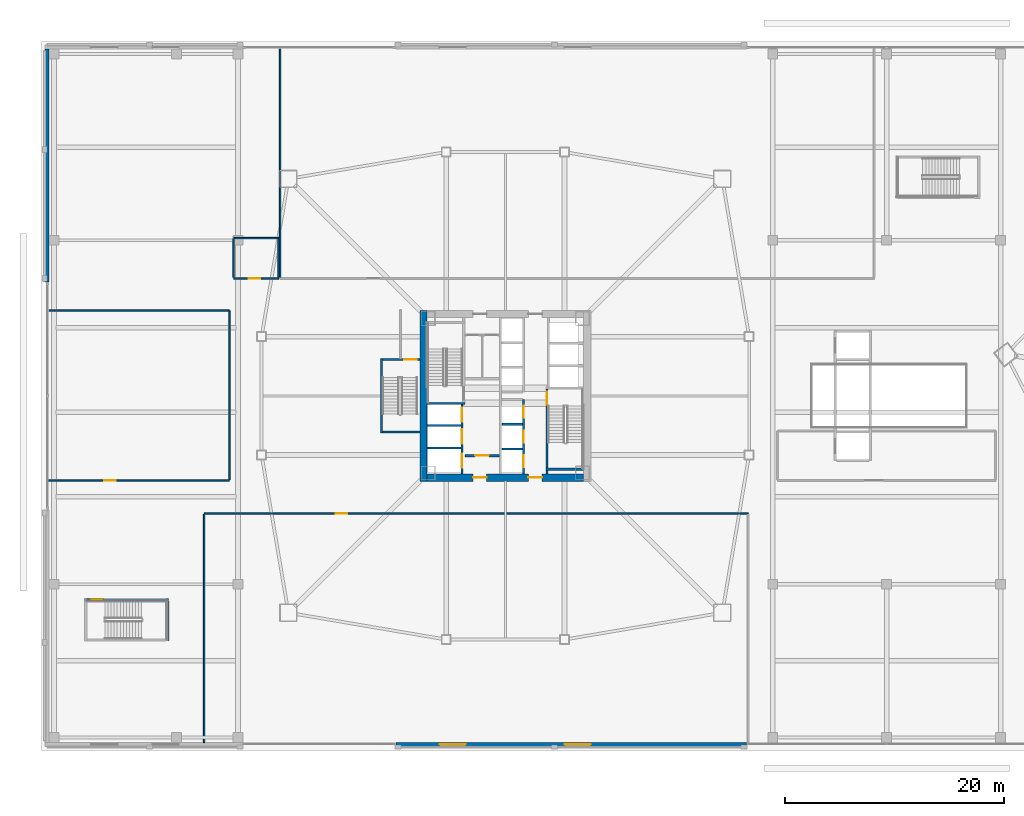
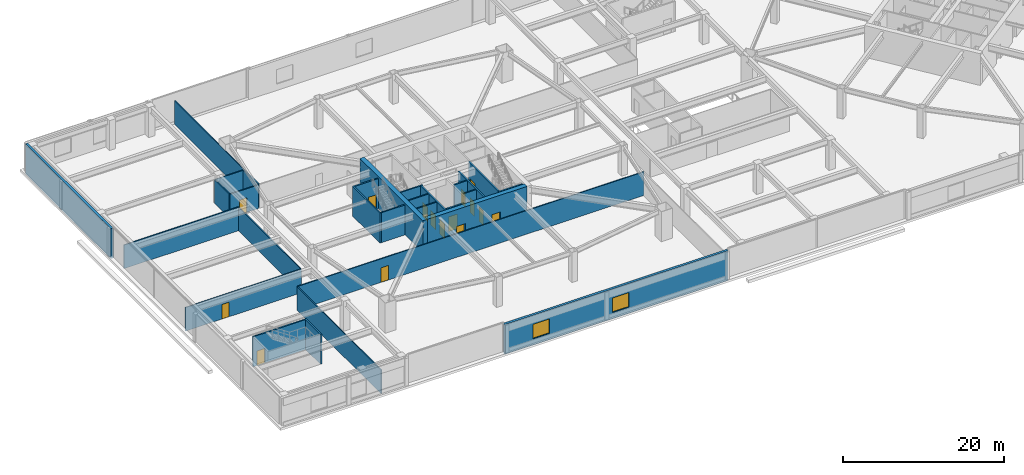
# One storey, part 30 of 44: 29 walls, 15 doors, 2 windows, 17 openings.
"""IFC4 building model written with IfcOpenShell, lengths in metres."""

from ifc_helpers import new_model, si_unit, direction, frame, frame_2d, origin, place, context, subcontext, project, spatial, rectangle, extrude, material, layer, layer_set, type_object, element, fill, save


model = new_model("IFC4")

# Units and contexts
model_context = context("Model", 3, precision=1e-05, world=origin(), true_north=direction((0.0, 1.0)))
body_context = subcontext(model_context, "Body", "Model", "MODEL_VIEW")
ifc_project = project(units=[si_unit("LENGTHUNIT", "METRE"), si_unit("AREAUNIT", "SQUARE_METRE"), si_unit("VOLUMEUNIT", "CUBIC_METRE"), si_unit("PLANEANGLEUNIT", "RADIAN"), si_unit("MASSUNIT", "GRAM", prefix="KILO")], contexts=[model_context])

# Site, building, storey
site_placement = place(None, origin())
site = spatial("IfcSite", under=ifc_project, at=site_placement, CompositionType="ELEMENT")
building_placement = place(site_placement, origin())
building = spatial("IfcBuilding", under=site, at=building_placement, Name="Tashvorn Skyway Center", CompositionType="ELEMENT")
storey_placement = place(building_placement, frame((0.0, 0.0, 5.39990234375)))
storey = spatial("IfcBuildingStorey", under=building, at=storey_placement, Name="L01", CompositionType="ELEMENT", Elevation=5.39990234375)

# Wall
ifc_material_1 = material(Name="Concrete C60/75", Category="concrete")
ifc_layer_1 = layer(ifc_material_1, 0.64990234375)
ifc_layer_set_1 = layer_set([ifc_layer_1], Name="Concrete C60/75")
wall_type_1 = type_object("IfcWallType", Name="WALL-CORE-650", PredefinedType="SHEAR", material=ifc_layer_set_1)
wall_1_placement = place(storey_placement, frame((34.52490234375, 24.199951171875, 0.0), z_axis=(0.0, 0.0, 1.0), x_axis=(0.0, 1.0, 0.0)))
element("IfcWall", 1, at=wall_1_placement, inside=storey, type_object=wall_type_1, Name="Tower 1 L01 West Core Shear Wall", PredefinedType="SHEAR", context=body_context, shape_type="SweptSolid", body=[
    extrude(rectangle(XDim=15.60009765625, YDim=0.64990234375, at=frame_2d((7.800048828125, 0.0))), origin(), (0.0, 0.0, 1.0), 4.800048828125),
])

# Wall, openings, doors
wall_2_placement = place(storey_placement, frame((49.14990234375, 24.52490234375, 0.0), z_axis=(0.0, 0.0, 1.0), x_axis=(-1.0, 0.0, 0.0)))
wall_2 = element("IfcWall", 2, at=wall_2_placement, inside=storey, type_object=wall_type_1, Name="Tower 1 L01 South Core Shear Wall", PredefinedType="SHEAR", context=body_context, shape_type="SweptSolid", body=[
    extrude(rectangle(XDim=14.2998046875, YDim=0.64990234375, at=frame_2d((7.14990234375, 0.0))), origin(), (0.0, 0.0, 1.0), 4.800048828125),
])
opening_1_placement = place(wall_2_placement, frame((8.85009765625, 0.0, 0.0)))
opening_1 = element("IfcOpeningElement", 3, at=opening_1_placement, cuts=wall_2, Name="Opening D-FFL-1250", PredefinedType="OPENING", context=body_context, shape_type="SweptSolid", body=[
    extrude(rectangle(XDim=1.25, YDim=2.25, at=frame_2d((0.625, 1.125))), frame((0.0, 0.3349609375, 0.0), z_axis=(0.0, -1.0, 0.0), x_axis=(1.0, 0.0, 0.0)), (0.0, 0.0, 1.0), 0.669921875),
])
opening_2_placement = place(wall_2_placement, frame((3.800048828125, 0.0, 0.0)))
opening_2 = element("IfcOpeningElement", 4, at=opening_2_placement, cuts=wall_2, Name="Opening D-FFL-1250", PredefinedType="OPENING", context=body_context, shape_type="SweptSolid", body=[
    extrude(rectangle(XDim=1.25, YDim=2.25, at=frame_2d((0.625, 1.125))), frame((0.0, 0.3349609375, 0.0), z_axis=(0.0, -1.0, 0.0), x_axis=(1.0, 0.0, 0.0)), (0.0, 0.0, 1.0), 0.669921875),
])
ifc_material_2 = material(Name="Hollow galvanized steel fire door assembly", Category="steel")
door_type_1 = type_object("IfcDoorType", Name="DOOR-FFL-1250", OperationType="NOTDEFINED", PredefinedType="DOOR", material=ifc_material_2)
door_1_placement = place(opening_1_placement, origin())
door_1 = element("IfcDoor", 5, at=door_1_placement, inside=storey, type_object=door_type_1, Name="Tower 1 L01 Core South Firefighting Exit Door", OperationType="SINGLE_SWING_LEFT", OverallHeight=2.25, OverallWidth=1.25, PredefinedType="DOOR", context=body_context, shape_type="SweptSolid", body=[
    extrude(rectangle(XDim=1.25, YDim=2.25, at=frame_2d((0.625, 1.125))), frame((0.0, 0.02490234375, 0.0), z_axis=(0.0, -1.0, 0.0), x_axis=(1.0, 0.0, 0.0)), (0.0, 0.0, 1.0), 0.050048828125),
])
fill(opening_1, door_1)
door_2_placement = place(opening_2_placement, origin())
door_2 = element("IfcDoor", 6, at=door_2_placement, inside=storey, type_object=door_type_1, Name="Tower 1 L01 Core South Lift Lobby Door", OperationType="SINGLE_SWING_RIGHT", OverallHeight=2.25, OverallWidth=1.25, PredefinedType="DOOR", context=body_context, shape_type="SweptSolid", body=[
    extrude(rectangle(XDim=1.25, YDim=2.25, at=frame_2d((0.625, 1.125))), frame((0.0, 0.02490234375, 0.0), z_axis=(0.0, -1.0, 0.0), x_axis=(1.0, 0.0, 0.0)), (0.0, 0.0, 1.0), 0.050048828125),
])
fill(opening_2, door_2)

# Wall, openings, windows
ifc_material_3 = material(Name="Precast concrete C40/50", Category="concrete")
ifc_layer_2 = layer(ifc_material_3, 0.35009765625)
ifc_layer_set_2 = layer_set([ifc_layer_2], Name="Precast concrete C40/50")
wall_type_2 = type_object("IfcWallType", Name="WALL-EXT-350", PredefinedType="SOLIDWALL", material=ifc_layer_set_2)
wall_3_placement = place(storey_placement, frame((64.0, 0.175048828125, 0.0), z_axis=(0.0, 0.0, 1.0), x_axis=(-1.0, 0.0, 0.0)))
wall_3 = element("IfcWall", 7, at=wall_3_placement, inside=storey, type_object=wall_type_2, Name="L01 South Postmodern Pier Wall M1", PredefinedType="SOLIDWALL", context=body_context, shape_type="SweptSolid", body=[
    extrude(rectangle(XDim=32.0, YDim=0.35009765625, at=frame_2d((16.0, 0.0))), origin(), (0.0, 0.0, 1.0), 4.5400390625),
])
opening_3_placement = place(wall_3_placement, frame((25.60009765625, 0.0, 0.949951171875)))
opening_3 = element("IfcOpeningElement", 8, at=opening_3_placement, cuts=wall_3, Name="Opening WIN-2400", PredefinedType="OPENING", context=body_context, shape_type="SweptSolid", body=[
    extrude(rectangle(XDim=2.39990234375, YDim=2.199951171875, at=frame_2d((1.199951171875, 1.10009765625))), frame((0.0, 0.18505859375, 0.0), z_axis=(0.0, -1.0, 0.0), x_axis=(1.0, 0.0, 0.0)), (0.0, 0.0, 1.0), 0.3701171875),
])
opening_4_placement = place(wall_3_placement, frame((14.199951171875, 0.0, 0.949951171875)))
opening_4 = element("IfcOpeningElement", 9, at=opening_4_placement, cuts=wall_3, Name="Opening WIN-2400", PredefinedType="OPENING", context=body_context, shape_type="SweptSolid", body=[
    extrude(rectangle(XDim=2.39990234375, YDim=2.199951171875, at=frame_2d((1.199951171875, 1.10009765625))), frame((0.0, 0.18505859375, 0.0), z_axis=(0.0, -1.0, 0.0), x_axis=(1.0, 0.0, 0.0)), (0.0, 0.0, 1.0), 0.3701171875),
])
ifc_material_4 = material(Name="Low-E solar-control double insulating safety glass", Category="glass")
window_type = type_object("IfcWindowType", Name="WIN-POD-2400", PartitioningType="SINGLE_PANEL", PredefinedType="WINDOW", material=ifc_material_4)
window_1_placement = place(opening_3_placement, origin())
window_1 = element("IfcWindow", 10, at=window_1_placement, inside=storey, type_object=window_type, Name="L01 South Station Pier Window 03", OverallHeight=2.199951171875, OverallWidth=2.39990234375, PartitioningType="SINGLE_PANEL", PredefinedType="WINDOW", context=body_context, shape_type="SweptSolid", body=[
    extrude(rectangle(XDim=2.39990234375, YDim=2.199951171875, at=frame_2d((1.199951171875, 1.10009765625))), frame((0.0, 0.030029296875, 0.0), z_axis=(0.0, -1.0, 0.0), x_axis=(1.0, 0.0, 0.0)), (0.0, 0.0, 1.0), 0.06005859375),
])
fill(opening_3, window_1)
window_2_placement = place(opening_4_placement, origin())
window_2 = element("IfcWindow", 11, at=window_2_placement, inside=storey, type_object=window_type, Name="L01 South Station Pier Window 04", OverallHeight=2.199951171875, OverallWidth=2.39990234375, PartitioningType="SINGLE_PANEL", PredefinedType="WINDOW", context=body_context, shape_type="SweptSolid", body=[
    extrude(rectangle(XDim=2.39990234375, YDim=2.199951171875, at=frame_2d((1.199951171875, 1.10009765625))), frame((0.0, 0.030029296875, 0.0), z_axis=(0.0, -1.0, 0.0), x_axis=(1.0, 0.0, 0.0)), (0.0, 0.0, 1.0), 0.06005859375),
])
fill(opening_4, window_2)

# Wall
wall_4_placement = place(storey_placement, frame((0.175048828125, 42.39990234375, 0.0), z_axis=(0.0, 0.0, 1.0), x_axis=(0.0, 1.0, 0.0)))
element("IfcWall", 12, at=wall_4_placement, inside=storey, type_object=wall_type_2, Name="L01 West-North Postmodern Facade Wall", PredefinedType="SOLIDWALL", context=body_context, shape_type="SweptSolid", body=[
    extrude(rectangle(XDim=21.25, YDim=0.35009765625, at=frame_2d((10.625, 0.0))), origin(), (0.0, 0.0, 1.0), 4.5400390625),
])

# Wall, opening, door
ifc_material_5 = material(Name="Concrete C40/50", Category="concrete")
ifc_layer_3 = layer(ifc_material_5, 0.219970703125)
ifc_layer_set_3 = layer_set([ifc_layer_3], Name="Concrete C40/50")
wall_type_3 = type_object("IfcWallType", Name="WALL-FFL-220", PredefinedType="SOLIDWALL", material=ifc_layer_set_3)
wall_5_placement = place(storey_placement, frame((38.300048828125, 26.5400390625, 0.0), z_axis=(0.0, 0.0, 1.0), x_axis=(1.0, 0.0, 0.0)))
wall_5 = element("IfcWall", 13, at=wall_5_placement, inside=storey, type_object=wall_type_3, Name="Tower 1 L01 Firefighting Lobby South Wall", PredefinedType="SOLIDWALL", context=body_context, shape_type="SweptSolid", body=[
    extrude(rectangle(XDim=3.14990234375, YDim=0.219970703125, at=frame_2d((1.574951171875, 0.0))), origin(), (0.0, 0.0, 1.0), 3.5830078125),
])
opening_5_placement = place(wall_5_placement, frame((0.949951171875, 0.0, 0.0)))
opening_5 = element("IfcOpeningElement", 14, at=opening_5_placement, cuts=wall_5, Name="Opening D-FFL-1250", PredefinedType="OPENING", context=body_context, shape_type="SweptSolid", body=[
    extrude(rectangle(XDim=1.25, YDim=2.25, at=frame_2d((0.625, 1.125))), frame((0.0, 0.119873046875, 0.0), z_axis=(0.0, -1.0, 0.0), x_axis=(1.0, 0.0, 0.0)), (0.0, 0.0, 1.0), 0.239990234375),
])
door_3_placement = place(opening_5_placement, origin())
door_3 = element("IfcDoor", 15, at=door_3_placement, inside=storey, type_object=door_type_1, Name="Tower 1 L01 Firefighting Lobby Egress Door", OperationType="SINGLE_SWING_LEFT", OverallHeight=2.25, OverallWidth=1.25, PredefinedType="DOOR", context=body_context, shape_type="SweptSolid", body=[
    extrude(rectangle(XDim=1.25, YDim=2.25, at=frame_2d((0.625, 1.125))), frame((0.0, 0.02490234375, 0.0), z_axis=(0.0, -1.0, 0.0), x_axis=(1.0, 0.0, 0.0)), (0.0, 0.0, 1.0), 0.050048828125),
])
fill(opening_5, door_3)

ifc_material_6 = material(Name="Gypsum board on cold-formed steel stud framing", Category="steel")
ifc_layer_4 = layer(ifc_material_6, 0.135009765625)
ifc_layer_set_4 = layer_set([ifc_layer_4], Name="Gypsum board on cold-formed steel stud framing")
wall_type_4 = type_object("IfcWallType", Name="WALL-PART-135", PredefinedType="PARTITIONING", material=ifc_layer_set_4)
wall_6_placement = place(storey_placement, frame((0.179931640625, 24.25, 0.0), z_axis=(0.0, 0.0, 1.0), x_axis=(1.0, 0.0, 0.0)))
wall_6 = element("IfcWall", 16, at=wall_6_placement, inside=storey, type_object=wall_type_4, Name="L01 West Suite South Wall", PredefinedType="PARTITIONING", context=body_context, shape_type="SweptSolid", body=[
    extrude(rectangle(XDim=16.6201171875, YDim=0.135009765625, at=frame_2d((8.31005859375, 0.0))), origin(), (0.0, 0.0, 1.0), 3.5830078125),
])
opening_6_placement = place(wall_6_placement, frame((5.199951171875, 0.0, 0.0)))
opening_6 = element("IfcOpeningElement", 17, at=opening_6_placement, cuts=wall_6, Name="Opening D-ACC-1050", PredefinedType="OPENING", context=body_context, shape_type="SweptSolid", body=[
    extrude(rectangle(XDim=1.050048828125, YDim=2.199951171875, at=frame_2d((0.52490234375, 1.10009765625))), frame((0.0, 0.077392578125, 0.0), z_axis=(0.0, -1.0, 0.0), x_axis=(1.0, 0.0, 0.0)), (0.0, 0.0, 1.0), 0.155029296875),
])
ifc_material_7 = material(Name="Solid-core architectural oak veneer door")
door_type_2 = type_object("IfcDoorType", Name="DOOR-ACC-1050", OperationType="NOTDEFINED", PredefinedType="DOOR", material=ifc_material_7)
door_4_placement = place(opening_6_placement, origin())
door_4 = element("IfcDoor", 18, at=door_4_placement, inside=storey, type_object=door_type_2, Name="L01 Conference Suite Door", OperationType="SINGLE_SWING_LEFT", OverallHeight=2.199951171875, OverallWidth=1.050048828125, PredefinedType="DOOR", context=body_context, shape_type="SweptSolid", body=[
    extrude(rectangle(XDim=1.050048828125, YDim=2.199951171875, at=frame_2d((0.52490234375, 1.10009765625))), frame((0.0, 0.02490234375, 0.0), z_axis=(0.0, -1.0, 0.0), x_axis=(1.0, 0.0, 0.0)), (0.0, 0.0, 1.0), 0.050048828125),
])
fill(opening_6, door_4)

# Walls
wall_7_placement = place(storey_placement, frame((16.800048828125, 24.35009765625, 0.0), z_axis=(0.0, 0.0, 1.0), x_axis=(0.0, 1.0, 0.0)))
element("IfcWall", 19, at=wall_7_placement, inside=storey, type_object=wall_type_4, Name="L01 West Suite East Wall", PredefinedType="PARTITIONING", context=body_context, shape_type="SweptSolid", body=[
    extrude(rectangle(XDim=15.39990234375, YDim=0.135009765625, at=frame_2d((7.699951171875, 0.0))), origin(), (0.0, 0.0, 1.0), 3.5830078125),
])
wall_8_placement = place(storey_placement, frame((0.35009765625, 39.780029296875, 0.0), z_axis=(0.0, 0.0, 1.0), x_axis=(1.0, 0.0, 0.0)))
element("IfcWall", 20, at=wall_8_placement, inside=storey, type_object=wall_type_4, Name="L01 West Suite North Wall", PredefinedType="PARTITIONING", context=body_context, shape_type="SweptSolid", body=[
    extrude(rectangle(XDim=16.449951171875, YDim=0.135009765625, at=frame_2d((8.22509765625, 0.0))), origin(), (0.0, 0.0, 1.0), 3.5830078125),
])
wall_9_placement = place(storey_placement, frame((21.449951171875, 42.800048828125, 0.0), z_axis=(0.0, 0.0, 1.0), x_axis=(0.0, 1.0, 0.0)))
element("IfcWall", 21, at=wall_9_placement, inside=storey, type_object=wall_type_4, Name="L01 North Suite West Wall", PredefinedType="PARTITIONING", context=body_context, shape_type="SweptSolid", body=[
    extrude(rectangle(XDim=20.849853515625, YDim=0.135009765625, at=frame_2d((10.4248046875, 0.0))), origin(), (0.0, 0.0, 1.0), 3.5830078125),
])

# Wall, opening, door
wall_10_placement = place(storey_placement, frame((14.5, 21.25, 0.0), z_axis=(0.0, 0.0, 1.0), x_axis=(1.0, 0.0, 0.0)))
wall_10 = element("IfcWall", 22, at=wall_10_placement, inside=storey, type_object=wall_type_4, Name="L01 South Suite Wall", PredefinedType="PARTITIONING", context=body_context, shape_type="SweptSolid", body=[
    extrude(rectangle(XDim=49.64990234375, YDim=0.135009765625, at=frame_2d((24.824951171875, 0.0))), origin(), (0.0, 0.0, 1.0), 3.5830078125),
])
opening_7_placement = place(wall_10_placement, frame((12.0, 0.0, 0.0)))
opening_7 = element("IfcOpeningElement", 23, at=opening_7_placement, cuts=wall_10, Name="Opening D-ACC-1050", PredefinedType="OPENING", context=body_context, shape_type="SweptSolid", body=[
    extrude(rectangle(XDim=1.050048828125, YDim=2.199951171875, at=frame_2d((0.52490234375, 1.10009765625))), frame((0.0, 0.077392578125, 0.0), z_axis=(0.0, -1.0, 0.0), x_axis=(1.0, 0.0, 0.0)), (0.0, 0.0, 1.0), 0.155029296875),
])
door_5_placement = place(opening_7_placement, origin())
door_5 = element("IfcDoor", 24, at=door_5_placement, inside=storey, type_object=door_type_2, Name="L01 Station Ticketing and Passenger Services Door", OperationType="SINGLE_SWING_LEFT", OverallHeight=2.199951171875, OverallWidth=1.050048828125, PredefinedType="DOOR", context=body_context, shape_type="SweptSolid", body=[
    extrude(rectangle(XDim=1.050048828125, YDim=2.199951171875, at=frame_2d((0.52490234375, 1.10009765625))), frame((0.0, 0.02490234375, 0.0), z_axis=(0.0, -1.0, 0.0), x_axis=(1.0, 0.0, 0.0)), (0.0, 0.0, 1.0), 0.050048828125),
])
fill(opening_7, door_5)

# Wall
wall_11_placement = place(storey_placement, frame((14.5, 0.35009765625, 0.0), z_axis=(0.0, 0.0, 1.0), x_axis=(0.0, 1.0, 0.0)))
element("IfcWall", 25, at=wall_11_placement, inside=storey, type_object=wall_type_4, Name="L01 South Suite West Wall", PredefinedType="PARTITIONING", context=body_context, shape_type="SweptSolid", body=[
    extrude(rectangle(XDim=20.849853515625, YDim=0.135009765625, at=frame_2d((10.4248046875, 0.0))), origin(), (0.0, 0.0, 1.0), 3.5830078125),
])

# Wall, opening, door
wall_12_placement = place(storey_placement, frame((17.199951171875, 42.719970703125, 0.0), z_axis=(0.0, 0.0, 1.0), x_axis=(1.0, 0.0, 0.0)))
wall_12 = element("IfcWall", 26, at=wall_12_placement, inside=storey, type_object=wall_type_4, Name="L01 Restroom South Wall", PredefinedType="PARTITIONING", context=body_context, shape_type="SweptSolid", body=[
    extrude(rectangle(XDim=4.10009765625, YDim=0.135009765625, at=frame_2d((2.050048828125, 0.0))), origin(), (0.0, 0.0, 1.0), 3.5830078125),
])
opening_8_placement = place(wall_12_placement, frame((1.39990234375, 0.0, 0.0)))
opening_8 = element("IfcOpeningElement", 27, at=opening_8_placement, cuts=wall_12, Name="Opening D-ACC-1050", PredefinedType="OPENING", context=body_context, shape_type="SweptSolid", body=[
    extrude(rectangle(XDim=1.050048828125, YDim=2.199951171875, at=frame_2d((0.52490234375, 1.10009765625))), frame((0.0, 0.077392578125, 0.0), z_axis=(0.0, -1.0, 0.0), x_axis=(1.0, 0.0, 0.0)), (0.0, 0.0, 1.0), 0.155029296875),
])
door_6_placement = place(opening_8_placement, origin())
door_6 = element("IfcDoor", 28, at=door_6_placement, inside=storey, type_object=door_type_2, Name="L01 Accessible Restroom Door", OperationType="SINGLE_SWING_LEFT", OverallHeight=2.199951171875, OverallWidth=1.050048828125, PredefinedType="DOOR", context=body_context, shape_type="SweptSolid", body=[
    extrude(rectangle(XDim=1.050048828125, YDim=2.199951171875, at=frame_2d((0.52490234375, 1.10009765625))), frame((0.0, 0.02490234375, 0.0), z_axis=(0.0, -1.0, 0.0), x_axis=(1.0, 0.0, 0.0)), (0.0, 0.0, 1.0), 0.050048828125),
])
fill(opening_8, door_6)

# Walls
wall_13_placement = place(storey_placement, frame((17.199951171875, 46.39990234375, 0.0), z_axis=(0.0, 0.0, 1.0), x_axis=(1.0, 0.0, 0.0)))
element("IfcWall", 29, at=wall_13_placement, inside=storey, type_object=wall_type_4, Name="L01 Restroom North Wall", PredefinedType="PARTITIONING", context=body_context, shape_type="SweptSolid", body=[
    extrude(rectangle(XDim=4.10009765625, YDim=0.135009765625, at=frame_2d((2.050048828125, 0.0))), origin(), (0.0, 0.0, 1.0), 3.5830078125),
])
for number, where, z_axis, x_axis, name in (
    (30, (17.199951171875, 42.800048828125, 0.0), (0.0, 0.0, 1.0), (0.0, 1.0, 0.0), "L01 Restroom West Wall"),
    (31, (21.300048828125, 42.800048828125, 0.0), (0.0, 0.0, 1.0), (0.0, 1.0, 0.0), "L01 Restroom East Wall"),
):
    element("IfcWall", number, at=place(storey_placement, frame(where, z_axis=z_axis, x_axis=x_axis)), inside=storey, type_object=wall_type_4, Name=name, PredefinedType="PARTITIONING", context=body_context, shape_type="SweptSolid", body=[
        extrude(rectangle(XDim=3.550048828125, YDim=0.135009765625, at=frame_2d((1.77490234375, 0.0))), origin(), (0.0, 0.0, 1.0), 3.5830078125),
    ])
ifc_layer_5 = layer(ifc_material_5, 0.199951171875)
ifc_layer_set_5 = layer_set([ifc_layer_5], Name="Concrete C40/50")
wall_type_5 = type_object("IfcWallType", Name="WALL-SHAFT-200", PredefinedType="SOLIDWALL", material=ifc_layer_set_5)
for number, where, z_axis, x_axis, name in (
    (32, (34.85009765625, 27.25, 0.0), (0.0, 0.0, 1.0), (1.0, 0.0, 0.0), "Tower 1 L01 FSAE Shaft Divider"),
    (33, (34.85009765625, 29.280029296875, 0.0), (0.0, 0.0, 1.0), (1.0, 0.0, 0.0), "Tower 1 L01 FSAE Shaft Divider"),
):
    element("IfcWall", number, at=place(storey_placement, frame(where, z_axis=z_axis, x_axis=x_axis)), inside=storey, type_object=wall_type_5, Name=name, PredefinedType="SOLIDWALL", context=body_context, shape_type="SweptSolid", body=[
        extrude(rectangle(XDim=3.099853515625, YDim=0.199951171875, at=frame_2d((1.5498046875, 0.0))), origin(), (0.0, 0.0, 1.0), 4.5400390625),
    ])

# Wall, openings, doors
wall_14_placement = place(storey_placement, frame((43.64990234375, 24.85009765625, 0.0), z_axis=(0.0, 0.0, 1.0), x_axis=(0.0, 1.0, 0.0)))
wall_14 = element("IfcWall", 34, at=wall_14_placement, inside=storey, type_object=wall_type_5, Name="Tower 1 L01 Low-Rise Core Wall", PredefinedType="SOLIDWALL", context=body_context, shape_type="SweptSolid", body=[
    extrude(rectangle(XDim=6.7998046875, YDim=0.199951171875, at=frame_2d((3.39990234375, 0.0))), origin(), (0.0, 0.0, 1.0), 4.5400390625),
])
opening_9_placement = place(wall_14_placement, frame((0.625, 0.0, 0.0)))
opening_9 = element("IfcOpeningElement", 35, at=opening_9_placement, cuts=wall_14, Name="Opening LD-LR-T1-1-L01", PredefinedType="OPENING", context=body_context, shape_type="SweptSolid", body=[
    extrude(rectangle(XDim=1.10009765625, YDim=2.199951171875, at=frame_2d((0.550048828125, 1.10009765625))), frame((0.0, 0.10986328125, 0.0), z_axis=(0.0, -1.0, 0.0), x_axis=(1.0, 0.0, 0.0)), (0.0, 0.0, 1.0), 0.219970703125),
])
opening_10_placement = place(wall_14_placement, frame((2.875, 0.0, 0.0)))
opening_10 = element("IfcOpeningElement", 36, at=opening_10_placement, cuts=wall_14, Name="Opening LD-LR-T1-2-L01", PredefinedType="OPENING", context=body_context, shape_type="SweptSolid", body=[
    extrude(rectangle(XDim=1.10009765625, YDim=2.199951171875, at=frame_2d((0.550048828125, 1.10009765625))), frame((0.0, 0.10986328125, 0.0), z_axis=(0.0, -1.0, 0.0), x_axis=(1.0, 0.0, 0.0)), (0.0, 0.0, 1.0), 0.219970703125),
])
opening_11_placement = place(wall_14_placement, frame((5.125, 0.0, 0.0)))
opening_11 = element("IfcOpeningElement", 37, at=opening_11_placement, cuts=wall_14, Name="Opening LD-LR-T1-3-L01", PredefinedType="OPENING", context=body_context, shape_type="SweptSolid", body=[
    extrude(rectangle(XDim=1.10009765625, YDim=2.199951171875, at=frame_2d((0.550048828125, 1.10009765625))), frame((0.0, 0.10986328125, 0.0), z_axis=(0.0, -1.0, 0.0), x_axis=(1.0, 0.0, 0.0)), (0.0, 0.0, 1.0), 0.219970703125),
])
ifc_material_8 = material(Name="Stainless steel landing door", Category="steel")
door_type_3 = type_object("IfcDoorType", Name="DOOR-LIFT-1100", OperationType="SLIDING_TO_LEFT", PredefinedType="DOOR", material=ifc_material_8)
door_7_placement = place(opening_9_placement, origin())
door_7 = element("IfcDoor", 38, at=door_7_placement, inside=storey, type_object=door_type_3, Name="Lift LR-T1-1 L01 Landing Door", OperationType="SLIDING_TO_LEFT", OverallHeight=2.199951171875, OverallWidth=1.10009765625, PredefinedType="DOOR", context=body_context, shape_type="SweptSolid", body=[
    extrude(rectangle(XDim=1.10009765625, YDim=2.199951171875, at=frame_2d((0.550048828125, 1.10009765625))), frame((0.0, 0.02490234375, 0.0), z_axis=(0.0, -1.0, 0.0), x_axis=(1.0, 0.0, 0.0)), (0.0, 0.0, 1.0), 0.050048828125),
])
fill(opening_9, door_7)
door_8_placement = place(opening_10_placement, origin())
door_8 = element("IfcDoor", 39, at=door_8_placement, inside=storey, type_object=door_type_3, Name="Lift LR-T1-2 L01 Landing Door", OperationType="SLIDING_TO_LEFT", OverallHeight=2.199951171875, OverallWidth=1.10009765625, PredefinedType="DOOR", context=body_context, shape_type="SweptSolid", body=[
    extrude(rectangle(XDim=1.10009765625, YDim=2.199951171875, at=frame_2d((0.550048828125, 1.10009765625))), frame((0.0, 0.02490234375, 0.0), z_axis=(0.0, -1.0, 0.0), x_axis=(1.0, 0.0, 0.0)), (0.0, 0.0, 1.0), 0.050048828125),
])
fill(opening_10, door_8)
door_9_placement = place(opening_11_placement, origin())
door_9 = element("IfcDoor", 40, at=door_9_placement, inside=storey, type_object=door_type_3, Name="Lift LR-T1-3 L01 Landing Door", OperationType="SLIDING_TO_LEFT", OverallHeight=2.199951171875, OverallWidth=1.10009765625, PredefinedType="DOOR", context=body_context, shape_type="SweptSolid", body=[
    extrude(rectangle(XDim=1.10009765625, YDim=2.199951171875, at=frame_2d((0.550048828125, 1.10009765625))), frame((0.0, 0.02490234375, 0.0), z_axis=(0.0, -1.0, 0.0), x_axis=(1.0, 0.0, 0.0)), (0.0, 0.0, 1.0), 0.050048828125),
])
fill(opening_11, door_9)

# Walls
for number, where, z_axis, x_axis, name in (
    (41, (41.669921875, 27.14990234375, 0.0), (0.0, 0.0, 1.0), (1.0, 0.0, 0.0), "Tower 1 L01 Low-Rise Shaft Divider"),
    (42, (41.669921875, 29.39990234375, 0.0), (0.0, 0.0, 1.0), (1.0, 0.0, 0.0), "Tower 1 L01 Low-Rise Shaft Divider"),
):
    element("IfcWall", number, at=place(storey_placement, frame(where, z_axis=z_axis, x_axis=x_axis)), inside=storey, type_object=wall_type_5, Name=name, PredefinedType="SOLIDWALL", context=body_context, shape_type="SweptSolid", body=[
        extrude(rectangle(XDim=1.880126953125, YDim=0.199951171875, at=frame_2d((0.93994140625, 0.0))), origin(), (0.0, 0.0, 1.0), 4.5400390625),
    ])
ifc_layer_6 = layer(ifc_material_5, 0.199951171875)
ifc_layer_set_6 = layer_set([ifc_layer_6], Name="Concrete C40/50")
wall_type_6 = type_object("IfcWallType", Name="WALL-STSHF-200", PredefinedType="SHEAR", material=ifc_layer_set_6)
wall_15_placement = place(storey_placement, frame((34.85009765625, 31.300048828125, 0.0), z_axis=(0.0, 0.0, 1.0), x_axis=(1.0, 0.0, 0.0)))
element("IfcWall", 43, at=wall_15_placement, inside=storey, type_object=wall_type_6, Name="Tower 1 L01 Stair 1 South Wall", PredefinedType="SHEAR", context=body_context, shape_type="SweptSolid", body=[
    extrude(rectangle(XDim=3.449951171875, YDim=0.199951171875, at=frame_2d((1.72509765625, 0.0))), origin(), (0.0, 0.0, 1.0), 4.5400390625),
])

# Wall, opening, door
wall_16_placement = place(storey_placement, frame((45.800048828125, 32.800048828125, 0.0), z_axis=(0.0, 0.0, 1.0), x_axis=(0.0, -1.0, 0.0)))
wall_16 = element("IfcWall", 44, at=wall_16_placement, inside=storey, type_object=wall_type_6, Name="Tower 1 L01 Stair 2 Enclosure Wall", PredefinedType="SHEAR", context=body_context, shape_type="SweptSolid", body=[
    extrude(rectangle(XDim=7.949951171875, YDim=0.199951171875, at=frame_2d((3.97509765625, 0.0))), origin(), (0.0, 0.0, 1.0), 4.5400390625),
])
opening_12_placement = place(wall_16_placement, frame((0.449951171875, 0.0, 0.0)))
opening_12 = element("IfcOpeningElement", 45, at=opening_12_placement, cuts=wall_16, Name="Opening D-ST-1150", PredefinedType="OPENING", context=body_context, shape_type="SweptSolid", body=[
    extrude(rectangle(XDim=1.14990234375, YDim=2.199951171875, at=frame_2d((0.574951171875, 1.10009765625))), frame((0.0, 0.10986328125, 0.0), z_axis=(0.0, -1.0, 0.0), x_axis=(1.0, 0.0, 0.0)), (0.0, 0.0, 1.0), 0.219970703125),
])
door_type_4 = type_object("IfcDoorType", Name="DOOR-STAIR-1150", OperationType="NOTDEFINED", PredefinedType="DOOR", material=ifc_material_2)
door_10_placement = place(opening_12_placement, origin())
door_10 = element("IfcDoor", 46, at=door_10_placement, inside=storey, type_object=door_type_4, Name="Tower 1 L01 Exit Stair 2 Door", OperationType="SINGLE_SWING_RIGHT", OverallHeight=2.199951171875, OverallWidth=1.14990234375, PredefinedType="DOOR", context=body_context, shape_type="SweptSolid", body=[
    extrude(rectangle(XDim=1.14990234375, YDim=2.199951171875, at=frame_2d((0.574951171875, 1.10009765625))), frame((0.0, 0.02490234375, 0.0), z_axis=(0.0, -1.0, 0.0), x_axis=(1.0, 0.0, 0.0)), (0.0, 0.0, 1.0), 0.050048828125),
])
fill(opening_12, door_10)

# Wall
wall_17_placement = place(storey_placement, frame((45.699951171875, 25.300048828125, 0.0), z_axis=(0.0, 0.0, 1.0), x_axis=(1.0, 0.0, 0.0)))
element("IfcWall", 47, at=wall_17_placement, inside=storey, type_object=wall_type_6, Name="Tower 1 L01 Stair 2 South Wall", PredefinedType="SHEAR", context=body_context, shape_type="SweptSolid", body=[
    extrude(rectangle(XDim=3.449951171875, YDim=0.199951171875, at=frame_2d((1.72509765625, 0.0))), origin(), (0.0, 0.0, 1.0), 4.5400390625),
])

# Wall, openings, doors
wall_18_placement = place(storey_placement, frame((38.050048828125, 24.85009765625, 0.0), z_axis=(0.0, 0.0, 1.0), x_axis=(0.0, 1.0, 0.0)))
wall_18 = element("IfcWall", 48, at=wall_18_placement, inside=storey, type_object=wall_type_6, Name="Tower 1 L01 FSAE and Goods Shaft Front Wall", PredefinedType="SHEAR", context=body_context, shape_type="SweptSolid", body=[
    extrude(rectangle(XDim=6.349853515625, YDim=0.199951171875, at=frame_2d((3.1748046875, 0.0))), origin(), (0.0, 0.0, 1.0), 4.5400390625),
])
opening_13_placement = place(wall_18_placement, frame((4.77490234375, 0.0, 0.0)))
opening_13 = element("IfcOpeningElement", 49, at=opening_13_placement, cuts=wall_18, Name="Opening LD-FF-T1-1-L01", PredefinedType="OPENING", context=body_context, shape_type="SweptSolid", body=[
    extrude(rectangle(XDim=1.300048828125, YDim=2.25, at=frame_2d((0.64990234375, 1.125))), frame((0.0, 0.10986328125, 0.0), z_axis=(0.0, -1.0, 0.0), x_axis=(1.0, 0.0, 0.0)), (0.0, 0.0, 1.0), 0.219970703125),
])
opening_14_placement = place(wall_18_placement, frame((2.77490234375, 0.0, 0.0)))
opening_14 = element("IfcOpeningElement", 50, at=opening_14_placement, cuts=wall_18, Name="Opening LD-FF-T1-2-L01", PredefinedType="OPENING", context=body_context, shape_type="SweptSolid", body=[
    extrude(rectangle(XDim=1.300048828125, YDim=2.25, at=frame_2d((0.64990234375, 1.125))), frame((0.0, 0.10986328125, 0.0), z_axis=(0.0, -1.0, 0.0), x_axis=(1.0, 0.0, 0.0)), (0.0, 0.0, 1.0), 0.219970703125),
])
opening_15_placement = place(wall_18_placement, frame((0.574951171875, 0.0, 0.0)))
opening_15 = element("IfcOpeningElement", 51, at=opening_15_placement, cuts=wall_18, Name="Opening LD-GD-T1-1-L01", PredefinedType="OPENING", context=body_context, shape_type="SweptSolid", body=[
    extrude(rectangle(XDim=1.300048828125, YDim=2.25, at=frame_2d((0.64990234375, 1.125))), frame((0.0, 0.10986328125, 0.0), z_axis=(0.0, -1.0, 0.0), x_axis=(1.0, 0.0, 0.0)), (0.0, 0.0, 1.0), 0.219970703125),
])
ifc_material_9 = material(Name="Stainless steel heavy-duty landing door", Category="steel")
door_type_5 = type_object("IfcDoorType", Name="DOOR-LIFT-1300", OperationType="SLIDING_TO_LEFT", PredefinedType="DOOR", material=ifc_material_9)
door_11_placement = place(opening_13_placement, origin())
door_11 = element("IfcDoor", 52, at=door_11_placement, inside=storey, type_object=door_type_5, Name="Lift FF-T1-1 L01 Landing Door", OperationType="SLIDING_TO_LEFT", OverallHeight=2.25, OverallWidth=1.300048828125, PredefinedType="DOOR", context=body_context, shape_type="SweptSolid", body=[
    extrude(rectangle(XDim=1.300048828125, YDim=2.25, at=frame_2d((0.64990234375, 1.125))), frame((0.0, 0.02490234375, 0.0), z_axis=(0.0, -1.0, 0.0), x_axis=(1.0, 0.0, 0.0)), (0.0, 0.0, 1.0), 0.050048828125),
])
fill(opening_13, door_11)
door_12_placement = place(opening_14_placement, origin())
door_12 = element("IfcDoor", 53, at=door_12_placement, inside=storey, type_object=door_type_5, Name="Lift FF-T1-2 L01 Landing Door", OperationType="SLIDING_TO_LEFT", OverallHeight=2.25, OverallWidth=1.300048828125, PredefinedType="DOOR", context=body_context, shape_type="SweptSolid", body=[
    extrude(rectangle(XDim=1.300048828125, YDim=2.25, at=frame_2d((0.64990234375, 1.125))), frame((0.0, 0.02490234375, 0.0), z_axis=(0.0, -1.0, 0.0), x_axis=(1.0, 0.0, 0.0)), (0.0, 0.0, 1.0), 0.050048828125),
])
fill(opening_14, door_12)
door_13_placement = place(opening_15_placement, origin())
door_13 = element("IfcDoor", 54, at=door_13_placement, inside=storey, type_object=door_type_5, Name="Lift GD-T1-1 L01 Landing Door", OperationType="SLIDING_TO_LEFT", OverallHeight=2.25, OverallWidth=1.300048828125, PredefinedType="DOOR", context=body_context, shape_type="SweptSolid", body=[
    extrude(rectangle(XDim=1.300048828125, YDim=2.25, at=frame_2d((0.64990234375, 1.125))), frame((0.0, 0.02490234375, 0.0), z_axis=(0.0, -1.0, 0.0), x_axis=(1.0, 0.0, 0.0)), (0.0, 0.0, 1.0), 0.050048828125),
])
fill(opening_15, door_13)

# Wall
wall_19_placement = place(storey_placement, frame((30.699951171875, 28.60009765625, 0.0), z_axis=(0.0, 0.0, 1.0), x_axis=(0.0, 1.0, 0.0)))
element("IfcWall", 55, at=wall_19_placement, inside=storey, type_object=wall_type_6, Name="Tower 1 L01 Stair 3 Outer Wall", PredefinedType="SHEAR", context=body_context, shape_type="SweptSolid", body=[
    extrude(rectangle(XDim=6.7998046875, YDim=0.199951171875, at=frame_2d((3.39990234375, 0.0))), origin(), (0.0, 0.0, 1.0), 4.5400390625),
])

# Wall, opening, door
wall_20_placement = place(storey_placement, frame((34.199951171875, 35.300048828125, 0.0), z_axis=(0.0, 0.0, 1.0), x_axis=(-1.0, 0.0, 0.0)))
wall_20 = element("IfcWall", 56, at=wall_20_placement, inside=storey, type_object=wall_type_6, Name="Tower 1 L01 Stair 3 Enclosure Wall", PredefinedType="SHEAR", context=body_context, shape_type="SweptSolid", body=[
    extrude(rectangle(XDim=3.39990234375, YDim=0.199951171875, at=frame_2d((1.699951171875, 0.0))), origin(), (0.0, 0.0, 1.0), 4.5400390625),
])
opening_16_placement = place(wall_20_placement, frame((0.27490234375, 0.0, 0.0)))
opening_16 = element("IfcOpeningElement", 57, at=opening_16_placement, cuts=wall_20, Name="Opening D-ST-1150", PredefinedType="OPENING", context=body_context, shape_type="SweptSolid", body=[
    extrude(rectangle(XDim=1.14990234375, YDim=2.199951171875, at=frame_2d((0.574951171875, 1.10009765625))), frame((0.0, 0.10986328125, 0.0), z_axis=(0.0, -1.0, 0.0), x_axis=(1.0, 0.0, 0.0)), (0.0, 0.0, 1.0), 0.219970703125),
])
door_14_placement = place(opening_16_placement, origin())
door_14 = element("IfcDoor", 58, at=door_14_placement, inside=storey, type_object=door_type_4, Name="Tower 1 L01 Exit Stair 3 Door", OperationType="SINGLE_SWING_RIGHT", OverallHeight=2.199951171875, OverallWidth=1.14990234375, PredefinedType="DOOR", context=body_context, shape_type="SweptSolid", body=[
    extrude(rectangle(XDim=1.14990234375, YDim=2.199951171875, at=frame_2d((0.574951171875, 1.10009765625))), frame((0.0, 0.02490234375, 0.0), z_axis=(0.0, -1.0, 0.0), x_axis=(1.0, 0.0, 0.0)), (0.0, 0.0, 1.0), 0.050048828125),
])
fill(opening_16, door_14)

# Wall
wall_21_placement = place(storey_placement, frame((30.800048828125, 28.699951171875, 0.0), z_axis=(0.0, 0.0, 1.0), x_axis=(1.0, 0.0, 0.0)))
element("IfcWall", 59, at=wall_21_placement, inside=storey, type_object=wall_type_6, Name="Tower 1 L01 Stair 3 South Wall", PredefinedType="SHEAR", context=body_context, shape_type="SweptSolid", body=[
    extrude(rectangle(XDim=3.39990234375, YDim=0.199951171875, at=frame_2d((1.699951171875, 0.0))), origin(), (0.0, 0.0, 1.0), 4.5400390625),
])

# Wall, opening, door
wall_22_placement = place(storey_placement, frame((11.300048828125, 13.39990234375, 0.0), z_axis=(0.0, 0.0, 1.0), x_axis=(-1.0, 0.0, 0.0)))
wall_22 = element("IfcWall", 60, at=wall_22_placement, inside=storey, type_object=wall_type_6, Name="L01 Podium Stair 1 North Wall", PredefinedType="SHEAR", context=body_context, shape_type="SweptSolid", body=[
    extrude(rectangle(XDim=7.699951171875, YDim=0.199951171875, at=frame_2d((3.85009765625, 0.0))), origin(), (0.0, 0.0, 1.0), 4.5400390625),
])
opening_17_placement = place(wall_22_placement, frame((6.0, 0.0, 0.0)))
opening_17 = element("IfcOpeningElement", 61, at=opening_17_placement, cuts=wall_22, Name="Opening D-ST-1150", PredefinedType="OPENING", context=body_context, shape_type="SweptSolid", body=[
    extrude(rectangle(XDim=1.14990234375, YDim=2.199951171875, at=frame_2d((0.574951171875, 1.10009765625))), frame((0.0, 0.10986328125, 0.0), z_axis=(0.0, -1.0, 0.0), x_axis=(1.0, 0.0, 0.0)), (0.0, 0.0, 1.0), 0.219970703125),
])
door_15_placement = place(opening_17_placement, origin())
door_15 = element("IfcDoor", 62, at=door_15_placement, inside=storey, type_object=door_type_4, Name="L01 Podium Stair 1 Door", OperationType="SINGLE_SWING_LEFT", OverallHeight=2.199951171875, OverallWidth=1.14990234375, PredefinedType="DOOR", context=body_context, shape_type="SweptSolid", body=[
    extrude(rectangle(XDim=1.14990234375, YDim=2.199951171875, at=frame_2d((0.574951171875, 1.10009765625))), frame((0.0, 0.02490234375, 0.0), z_axis=(0.0, -1.0, 0.0), x_axis=(1.0, 0.0, 0.0)), (0.0, 0.0, 1.0), 0.050048828125),
])
fill(opening_17, door_15)

# Wall
wall_23_placement = place(storey_placement, frame((11.199951171875, 9.60009765625, 0.0), z_axis=(0.0, 0.0, 1.0), x_axis=(0.0, 1.0, 0.0)))
element("IfcWall", 63, at=wall_23_placement, inside=storey, type_object=wall_type_6, Name="L01 Podium Stair 1 East Wall", PredefinedType="SHEAR", context=body_context, shape_type="SweptSolid", body=[
    extrude(rectangle(XDim=3.89990234375, YDim=0.199951171875, at=frame_2d((1.949951171875, 0.0))), origin(), (0.0, 0.0, 1.0), 4.5400390625),
])

save(model, "model.ifc")
